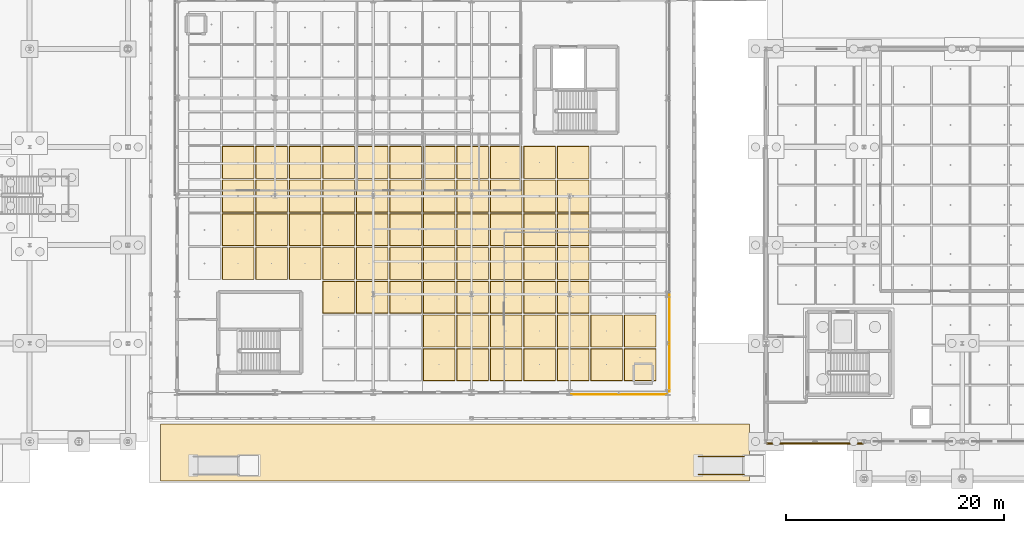
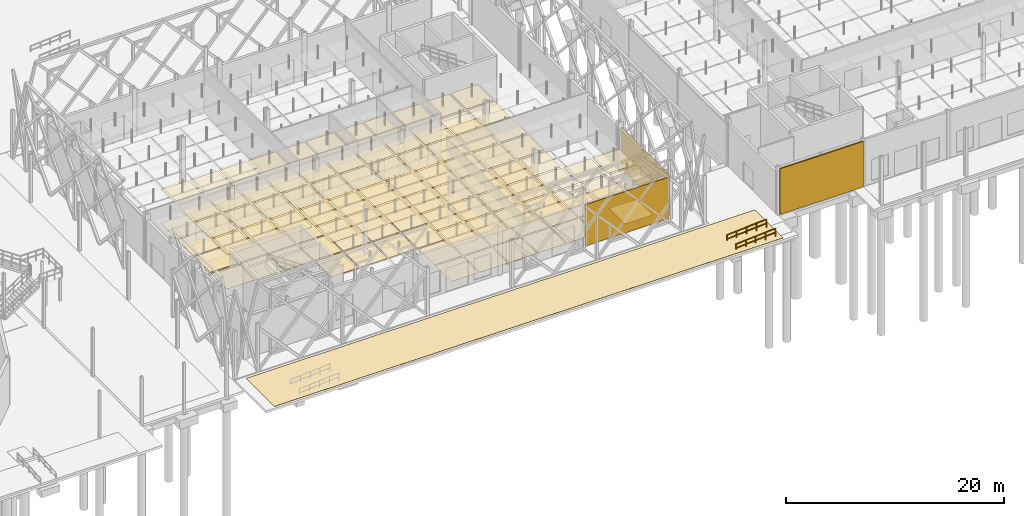
# One storey, part 164 of 180: 136 coverings, 2 railings.
"""IFC4 building model written with IfcOpenShell, lengths in metres."""

from ifc_helpers import new_model, si_unit, direction, frame, origin, origin_2d, place, context, subcontext, project, spatial, rectangle, circle, extrude, material, layer, layer_set, type_object, element, save


model = new_model("IFC4")

# Units and contexts
model_context = context("Model", 3, precision=1e-05, world=origin(), true_north=direction((0.0, 1.0)))
body_context = subcontext(model_context, "Body", "Model", "MODEL_VIEW")
ifc_project = project(units=[si_unit("LENGTHUNIT", "METRE"), si_unit("AREAUNIT", "SQUARE_METRE"), si_unit("VOLUMEUNIT", "CUBIC_METRE"), si_unit("PLANEANGLEUNIT", "RADIAN"), si_unit("MASSUNIT", "GRAM", prefix="KILO"), si_unit("THERMODYNAMICTEMPERATUREUNIT", "KELVIN"), si_unit("POWERUNIT", "WATT")], contexts=[model_context])

# Site, building, storey
site_placement = place(None, origin())
site = spatial("IfcSite", under=ifc_project, at=site_placement, CompositionType="ELEMENT")
building_placement = place(site_placement, origin())
building = spatial("IfcBuilding", under=site, at=building_placement, Name="Tallowbark Science Centre", CompositionType="ELEMENT")
storey_placement = place(building_placement, origin())
storey = spatial("IfcBuildingStorey", under=building, at=storey_placement, Name="L00", CompositionType="ELEMENT", Elevation=0.0)

# Coverings
ifc_material_1 = material(Name="Perforated Spotted Gum Acoustic Baffle Ceiling", Category="wood")
ifc_layer_1 = layer(ifc_material_1, 0.02490234375)
ifc_layer_set_1 = layer_set([ifc_layer_1], Name="Perforated Spotted Gum Acoustic Baffle Ceiling")
covering_type_1 = type_object("IfcCoveringType", Name="CLG-TIM-25", PredefinedType="CEILING", material=ifc_layer_set_1)
for number, where, z_axis, x_axis, name in (
    (1, (64.107177734375, 16.318115234375, 3.78759765625), (0.0, 0.0, 1.0), (1.0, 0.0, 0.0), "Suspended Ceiling L00-83"),
    (2, (64.107177734375, 19.4091796875, 3.78759765625), (0.0, 0.0, 1.0), (1.0, 0.0, 0.0), "Suspended Ceiling L00-84"),
    (3, (64.107177734375, 22.5, 3.78759765625), (0.0, 0.0, 1.0), (1.0, 0.0, 0.0), "Suspended Ceiling L00-85"),
    (4, (64.107177734375, 25.5908203125, 3.78759765625), (0.0, 0.0, 1.0), (1.0, 0.0, 0.0), "Suspended Ceiling L00-86"),
    (5, (67.1787109375, 16.318115234375, 3.78759765625), (0.0, 0.0, 1.0), (1.0, 0.0, 0.0), "Suspended Ceiling L00-91"),
    (6, (67.1787109375, 19.4091796875, 3.78759765625), (0.0, 0.0, 1.0), (1.0, 0.0, 0.0), "Suspended Ceiling L00-92"),
    (7, (67.1787109375, 22.5, 3.78759765625), (0.0, 0.0, 1.0), (1.0, 0.0, 0.0), "Suspended Ceiling L00-93"),
    (8, (67.1787109375, 25.5908203125, 3.78759765625), (0.0, 0.0, 1.0), (1.0, 0.0, 0.0), "Suspended Ceiling L00-94"),
    (9, (70.25, 16.318115234375, 3.78759765625), (0.0, 0.0, 1.0), (1.0, 0.0, 0.0), "Suspended Ceiling L00-99"),
    (10, (70.25, 19.4091796875, 3.78759765625), (0.0, 0.0, 1.0), (1.0, 0.0, 0.0), "Suspended Ceiling L00-100"),
    (11, (70.25, 22.5, 3.78759765625), (0.0, 0.0, 1.0), (1.0, 0.0, 0.0), "Suspended Ceiling L00-101"),
    (12, (70.25, 25.5908203125, 3.78759765625), (0.0, 0.0, 1.0), (1.0, 0.0, 0.0), "Suspended Ceiling L00-102"),
    (13, (73.3212890625, 13.227294921875, 3.78759765625), (0.0, 0.0, 1.0), (1.0, 0.0, 0.0), "Suspended Ceiling L00-109"),
    (14, (73.3212890625, 16.318115234375, 3.78759765625), (0.0, 0.0, 1.0), (1.0, 0.0, 0.0), "Suspended Ceiling L00-110"),
    (15, (73.3212890625, 19.4091796875, 3.78759765625), (0.0, 0.0, 1.0), (1.0, 0.0, 0.0), "Suspended Ceiling L00-111"),
    (16, (73.3212890625, 22.5, 3.78759765625), (0.0, 0.0, 1.0), (1.0, 0.0, 0.0), "Suspended Ceiling L00-112"),
    (17, (73.3212890625, 25.5908203125, 3.78759765625), (0.0, 0.0, 1.0), (1.0, 0.0, 0.0), "Suspended Ceiling L00-113"),
    (18, (76.392822265625, 13.227294921875, 3.78759765625), (0.0, 0.0, 1.0), (1.0, 0.0, 0.0), "Suspended Ceiling L00-120"),
    (19, (76.392822265625, 16.318115234375, 3.78759765625), (0.0, 0.0, 1.0), (1.0, 0.0, 0.0), "Suspended Ceiling L00-121"),
    (20, (76.392822265625, 19.4091796875, 3.78759765625), (0.0, 0.0, 1.0), (1.0, 0.0, 0.0), "Suspended Ceiling L00-122"),
    (21, (76.392822265625, 22.5, 3.78759765625), (0.0, 0.0, 1.0), (1.0, 0.0, 0.0), "Suspended Ceiling L00-123"),
    (22, (76.392822265625, 25.5908203125, 3.78759765625), (0.0, 0.0, 1.0), (1.0, 0.0, 0.0), "Suspended Ceiling L00-124"),
    (23, (79.46435546875, 13.227294921875, 3.78759765625), (0.0, 0.0, 1.0), (1.0, 0.0, 0.0), "Suspended Ceiling L00-131"),
    (24, (79.46435546875, 16.318115234375, 3.78759765625), (0.0, 0.0, 1.0), (1.0, 0.0, 0.0), "Suspended Ceiling L00-132"),
    (25, (79.46435546875, 19.4091796875, 3.78759765625), (0.0, 0.0, 1.0), (1.0, 0.0, 0.0), "Suspended Ceiling L00-133"),
    (26, (79.46435546875, 22.5, 3.78759765625), (0.0, 0.0, 1.0), (1.0, 0.0, 0.0), "Suspended Ceiling L00-134"),
    (27, (79.46435546875, 25.5908203125, 3.78759765625), (0.0, 0.0, 1.0), (1.0, 0.0, 0.0), "Suspended Ceiling L00-135"),
    (28, (82.53564453125, 7.04541015625, 3.78759765625), (0.0, 0.0, 1.0), (1.0, 0.0, 0.0), "Suspended Ceiling L00-140"),
    (29, (82.53564453125, 10.136474609375, 3.78759765625), (0.0, 0.0, 1.0), (1.0, 0.0, 0.0), "Suspended Ceiling L00-141"),
    (30, (82.53564453125, 13.227294921875, 3.78759765625), (0.0, 0.0, 1.0), (1.0, 0.0, 0.0), "Suspended Ceiling L00-142"),
    (31, (82.53564453125, 16.318115234375, 3.78759765625), (0.0, 0.0, 1.0), (1.0, 0.0, 0.0), "Suspended Ceiling L00-143"),
    (32, (82.53564453125, 19.4091796875, 3.78759765625), (0.0, 0.0, 1.0), (1.0, 0.0, 0.0), "Suspended Ceiling L00-144"),
    (33, (82.53564453125, 22.5, 3.78759765625), (0.0, 0.0, 1.0), (1.0, 0.0, 0.0), "Suspended Ceiling L00-145"),
    (34, (82.53564453125, 25.5908203125, 3.78759765625), (0.0, 0.0, 1.0), (1.0, 0.0, 0.0), "Suspended Ceiling L00-146"),
    (35, (85.607177734375, 7.04541015625, 3.78759765625), (0.0, 0.0, 1.0), (1.0, 0.0, 0.0), "Suspended Ceiling L00-151"),
    (36, (85.607177734375, 10.136474609375, 3.78759765625), (0.0, 0.0, 1.0), (1.0, 0.0, 0.0), "Suspended Ceiling L00-152"),
    (37, (85.607177734375, 13.227294921875, 3.78759765625), (0.0, 0.0, 1.0), (1.0, 0.0, 0.0), "Suspended Ceiling L00-153"),
    (38, (85.607177734375, 16.318115234375, 3.78759765625), (0.0, 0.0, 1.0), (1.0, 0.0, 0.0), "Suspended Ceiling L00-154"),
    (39, (85.607177734375, 19.4091796875, 3.78759765625), (0.0, 0.0, 1.0), (1.0, 0.0, 0.0), "Suspended Ceiling L00-155"),
    (40, (85.607177734375, 22.5, 3.78759765625), (0.0, 0.0, 1.0), (1.0, 0.0, 0.0), "Suspended Ceiling L00-156"),
    (41, (85.607177734375, 25.5908203125, 3.78759765625), (0.0, 0.0, 1.0), (1.0, 0.0, 0.0), "Suspended Ceiling L00-157"),
    (42, (88.6787109375, 7.04541015625, 3.78759765625), (0.0, 0.0, 1.0), (1.0, 0.0, 0.0), "Suspended Ceiling L00-162"),
    (43, (88.6787109375, 10.136474609375, 3.78759765625), (0.0, 0.0, 1.0), (1.0, 0.0, 0.0), "Suspended Ceiling L00-163"),
    (44, (88.6787109375, 13.227294921875, 3.78759765625), (0.0, 0.0, 1.0), (1.0, 0.0, 0.0), "Suspended Ceiling L00-164"),
    (45, (88.6787109375, 16.318115234375, 3.78759765625), (0.0, 0.0, 1.0), (1.0, 0.0, 0.0), "Suspended Ceiling L00-165"),
    (46, (88.6787109375, 19.4091796875, 3.78759765625), (0.0, 0.0, 1.0), (1.0, 0.0, 0.0), "Suspended Ceiling L00-166"),
    (47, (88.6787109375, 22.5, 3.78759765625), (0.0, 0.0, 1.0), (1.0, 0.0, 0.0), "Suspended Ceiling L00-167"),
    (48, (88.6787109375, 25.5908203125, 3.78759765625), (0.0, 0.0, 1.0), (1.0, 0.0, 0.0), "Suspended Ceiling L00-168"),
    (49, (91.75, 7.04541015625, 3.78759765625), (0.0, 0.0, 1.0), (1.0, 0.0, 0.0), "Suspended Ceiling L00-173"),
    (50, (91.75, 10.136474609375, 3.78759765625), (0.0, 0.0, 1.0), (1.0, 0.0, 0.0), "Suspended Ceiling L00-174"),
    (51, (91.75, 13.227294921875, 3.78759765625), (0.0, 0.0, 1.0), (1.0, 0.0, 0.0), "Suspended Ceiling L00-175"),
    (52, (91.75, 16.318115234375, 3.78759765625), (0.0, 0.0, 1.0), (1.0, 0.0, 0.0), "Suspended Ceiling L00-176"),
    (53, (91.75, 19.4091796875, 3.78759765625), (0.0, 0.0, 1.0), (1.0, 0.0, 0.0), "Suspended Ceiling L00-177"),
    (54, (91.75, 22.5, 3.78759765625), (0.0, 0.0, 1.0), (1.0, 0.0, 0.0), "Suspended Ceiling L00-178"),
    (55, (91.75, 25.5908203125, 3.78759765625), (0.0, 0.0, 1.0), (1.0, 0.0, 0.0), "Suspended Ceiling L00-179"),
    (56, (94.8212890625, 7.04541015625, 3.78759765625), (0.0, 0.0, 1.0), (1.0, 0.0, 0.0), "Suspended Ceiling L00-180"),
    (57, (94.8212890625, 10.136474609375, 3.78759765625), (0.0, 0.0, 1.0), (1.0, 0.0, 0.0), "Suspended Ceiling L00-181"),
    (58, (94.8212890625, 13.227294921875, 3.78759765625), (0.0, 0.0, 1.0), (1.0, 0.0, 0.0), "Suspended Ceiling L00-182"),
    (59, (94.8212890625, 16.318115234375, 3.78759765625), (0.0, 0.0, 1.0), (1.0, 0.0, 0.0), "Suspended Ceiling L00-183"),
    (60, (94.8212890625, 19.4091796875, 3.78759765625), (0.0, 0.0, 1.0), (1.0, 0.0, 0.0), "Suspended Ceiling L00-184"),
    (61, (94.8212890625, 22.5, 3.78759765625), (0.0, 0.0, 1.0), (1.0, 0.0, 0.0), "Suspended Ceiling L00-185"),
    (62, (94.8212890625, 25.5908203125, 3.78759765625), (0.0, 0.0, 1.0), (1.0, 0.0, 0.0), "Suspended Ceiling L00-186"),
    (63, (97.892822265625, 7.04541015625, 3.78759765625), (0.0, 0.0, 1.0), (1.0, 0.0, 0.0), "Suspended Ceiling L00-187"),
    (64, (97.892822265625, 10.136474609375, 3.78759765625), (0.0, 0.0, 1.0), (1.0, 0.0, 0.0), "Suspended Ceiling L00-188"),
    (65, (100.96435546875, 7.04541015625, 3.78759765625), (0.0, 0.0, 1.0), (1.0, 0.0, 0.0), "Suspended Ceiling L00-194"),
    (66, (100.96435546875, 10.136474609375, 3.78759765625), (0.0, 0.0, 1.0), (1.0, 0.0, 0.0), "Suspended Ceiling L00-195"),
):
    element("IfcCovering", number, at=place(storey_placement, frame(where, z_axis=z_axis, x_axis=x_axis)), inside=storey, type_object=covering_type_1, Name=name, PredefinedType="CEILING", context=body_context, shape_type="SweptSolid", body=[
        extrude(rectangle(XDim=2.891357421875, YDim=2.910888671875, at=origin_2d()), origin(), (0.0, 0.0, 1.0), 0.02490234375),
    ])
ifc_material_2 = material(Name="White Architectural Precast Concrete Grade N40 (40 MPa)", Category="concrete")
ifc_layer_2 = layer(ifc_material_2, 0.1201171875)
ifc_layer_set_2 = layer_set([ifc_layer_2], Name="White Architectural Precast Concrete Grade N40 (40 MPa)")
covering_type_2 = type_object("IfcCoveringType", Name="COV-PRC-CLAD", PredefinedType="CLADDING", material=ifc_layer_set_2)
covering_1_placement = place(storey_placement, frame((117.0, -0.1923828125, 0.050048828125), z_axis=(0.0, 0.0, 1.0), x_axis=(1.0, 0.0, 0.0)))
element("IfcCovering", 67, at=covering_1_placement, inside=storey, type_object=covering_type_2, Name="Architectural Rainscreen THT-S-L00-0", PredefinedType="CLADDING", context=body_context, shape_type="SweptSolid", body=[
    extrude(rectangle(XDim=8.8798828125, YDim=0.1201171875, at=origin_2d()), origin(), (0.0, 0.0, 1.0), 5.1201171875),
])
ifc_material_3 = material(Name="Honed Hawkesbury Sandstone Civic Paving", Category="masonry")
ifc_layer_3 = layer(ifc_material_3, 0.0400390625)
ifc_layer_set_3 = layer_set([ifc_layer_3], Name="Honed Hawkesbury Sandstone Civic Paving")
covering_type_3 = type_object("IfcCoveringType", Name="COV-STN-PAV", PredefinedType="FLOORING", material=ifc_layer_set_3)
covering_2_placement = place(storey_placement, frame((84.0, -1.0, 0.0), z_axis=(0.0, 0.0, 1.0), x_axis=(1.0, 0.0, 0.0)))
element("IfcCovering", 68, at=covering_2_placement, inside=storey, type_object=covering_type_3, Name="Hawkesbury Sandstone Paving PAV-FORECOURT-S", PredefinedType="FLOORING", context=body_context, shape_type="SweptSolid", body=[
    extrude(rectangle(XDim=54.0, YDim=5.199951171875, at=origin_2d()), origin(), (0.0, 0.0, 1.0), 0.02001953125),
])
ifc_material_4 = material(Name="Spotted Gum Hardwood Architectural Rainscreen", Category="wood")
ifc_layer_4 = layer(ifc_material_4, 0.0419921875)
ifc_layer_set_4 = layer_set([ifc_layer_4], Name="Spotted Gum Hardwood Architectural Rainscreen")
covering_type_4 = type_object("IfcCoveringType", Name="COV-TIM-CLAD", PredefinedType="CLADDING", material=ifc_layer_set_4)
for number, where, z_axis, x_axis, name in (
    (69, (99.0, 4.33154296875, 0.0498046875), (0.0, 0.0, 1.0), (1.0, 0.0, 0.0), "Architectural Rainscreen CUB-S-L00-4"),
    (70, (103.66845703125, 9.0, 0.0498046875), (0.0, 0.0, 1.0), (0.0, 1.0, 0.0), "Architectural Rainscreen CUB-E-L00-0"),
):
    element("IfcCovering", number, at=place(storey_placement, frame(where, z_axis=z_axis, x_axis=x_axis)), inside=storey, type_object=covering_type_4, Name=name, PredefinedType="CLADDING", context=body_context, shape_type="SweptSolid", body=[
        extrude(rectangle(XDim=8.8798828125, YDim=0.0419921875, at=origin_2d()), origin(), (0.0, 0.0, 1.0), 4.646240234375),
    ])
ifc_material_5 = material(Name="Polished Recycled-Glass Terrazzo Foyer Flooring", Category="glass")
ifc_layer_5 = layer(ifc_material_5, 0.02001953125)
ifc_layer_set_5 = layer_set([ifc_layer_5], Name="Polished Recycled-Glass Terrazzo Foyer Flooring")
covering_type_5 = type_object("IfcCoveringType", Name="FLR-TER-20", PredefinedType="FLOORING", material=ifc_layer_set_5)
for number, where, z_axis, x_axis, name in (
    (71, (64.107177734375, 16.318115234375, 0.0), (0.0, 0.0, 1.0), (1.0, 0.0, 0.0), "Floor Finish L00-83"),
    (72, (64.107177734375, 19.4091796875, 0.0), (0.0, 0.0, 1.0), (1.0, 0.0, 0.0), "Floor Finish L00-84"),
    (73, (64.107177734375, 22.5, 0.0), (0.0, 0.0, 1.0), (1.0, 0.0, 0.0), "Floor Finish L00-85"),
    (74, (64.107177734375, 25.5908203125, 0.0), (0.0, 0.0, 1.0), (1.0, 0.0, 0.0), "Floor Finish L00-86"),
    (75, (67.1787109375, 16.318115234375, 0.0), (0.0, 0.0, 1.0), (1.0, 0.0, 0.0), "Floor Finish L00-91"),
    (76, (67.1787109375, 19.4091796875, 0.0), (0.0, 0.0, 1.0), (1.0, 0.0, 0.0), "Floor Finish L00-92"),
    (77, (67.1787109375, 22.5, 0.0), (0.0, 0.0, 1.0), (1.0, 0.0, 0.0), "Floor Finish L00-93"),
    (78, (67.1787109375, 25.5908203125, 0.0), (0.0, 0.0, 1.0), (1.0, 0.0, 0.0), "Floor Finish L00-94"),
    (79, (70.25, 16.318115234375, 0.0), (0.0, 0.0, 1.0), (1.0, 0.0, 0.0), "Floor Finish L00-99"),
    (80, (70.25, 19.4091796875, 0.0), (0.0, 0.0, 1.0), (1.0, 0.0, 0.0), "Floor Finish L00-100"),
    (81, (70.25, 22.5, 0.0), (0.0, 0.0, 1.0), (1.0, 0.0, 0.0), "Floor Finish L00-101"),
    (82, (70.25, 25.5908203125, 0.0), (0.0, 0.0, 1.0), (1.0, 0.0, 0.0), "Floor Finish L00-102"),
    (83, (73.3212890625, 13.227294921875, 0.0), (0.0, 0.0, 1.0), (1.0, 0.0, 0.0), "Floor Finish L00-109"),
    (84, (73.3212890625, 16.318115234375, 0.0), (0.0, 0.0, 1.0), (1.0, 0.0, 0.0), "Floor Finish L00-110"),
    (85, (73.3212890625, 19.4091796875, 0.0), (0.0, 0.0, 1.0), (1.0, 0.0, 0.0), "Floor Finish L00-111"),
    (86, (73.3212890625, 22.5, 0.0), (0.0, 0.0, 1.0), (1.0, 0.0, 0.0), "Floor Finish L00-112"),
    (87, (73.3212890625, 25.5908203125, 0.0), (0.0, 0.0, 1.0), (1.0, 0.0, 0.0), "Floor Finish L00-113"),
    (88, (76.392822265625, 13.227294921875, 0.0), (0.0, 0.0, 1.0), (1.0, 0.0, 0.0), "Floor Finish L00-120"),
    (89, (76.392822265625, 16.318115234375, 0.0), (0.0, 0.0, 1.0), (1.0, 0.0, 0.0), "Floor Finish L00-121"),
    (90, (76.392822265625, 19.4091796875, 0.0), (0.0, 0.0, 1.0), (1.0, 0.0, 0.0), "Floor Finish L00-122"),
    (91, (76.392822265625, 22.5, 0.0), (0.0, 0.0, 1.0), (1.0, 0.0, 0.0), "Floor Finish L00-123"),
    (92, (76.392822265625, 25.5908203125, 0.0), (0.0, 0.0, 1.0), (1.0, 0.0, 0.0), "Floor Finish L00-124"),
    (93, (79.46435546875, 13.227294921875, 0.0), (0.0, 0.0, 1.0), (1.0, 0.0, 0.0), "Floor Finish L00-131"),
    (94, (79.46435546875, 16.318115234375, 0.0), (0.0, 0.0, 1.0), (1.0, 0.0, 0.0), "Floor Finish L00-132"),
    (95, (79.46435546875, 19.4091796875, 0.0), (0.0, 0.0, 1.0), (1.0, 0.0, 0.0), "Floor Finish L00-133"),
    (96, (79.46435546875, 22.5, 0.0), (0.0, 0.0, 1.0), (1.0, 0.0, 0.0), "Floor Finish L00-134"),
    (97, (79.46435546875, 25.5908203125, 0.0), (0.0, 0.0, 1.0), (1.0, 0.0, 0.0), "Floor Finish L00-135"),
    (98, (82.53564453125, 7.04541015625, 0.0), (0.0, 0.0, 1.0), (1.0, 0.0, 0.0), "Floor Finish L00-140"),
    (99, (82.53564453125, 10.136474609375, 0.0), (0.0, 0.0, 1.0), (1.0, 0.0, 0.0), "Floor Finish L00-141"),
    (100, (82.53564453125, 13.227294921875, 0.0), (0.0, 0.0, 1.0), (1.0, 0.0, 0.0), "Floor Finish L00-142"),
    (101, (82.53564453125, 16.318115234375, 0.0), (0.0, 0.0, 1.0), (1.0, 0.0, 0.0), "Floor Finish L00-143"),
    (102, (82.53564453125, 19.4091796875, 0.0), (0.0, 0.0, 1.0), (1.0, 0.0, 0.0), "Floor Finish L00-144"),
    (103, (82.53564453125, 22.5, 0.0), (0.0, 0.0, 1.0), (1.0, 0.0, 0.0), "Floor Finish L00-145"),
    (104, (82.53564453125, 25.5908203125, 0.0), (0.0, 0.0, 1.0), (1.0, 0.0, 0.0), "Floor Finish L00-146"),
    (105, (85.607177734375, 7.04541015625, 0.0), (0.0, 0.0, 1.0), (1.0, 0.0, 0.0), "Floor Finish L00-151"),
    (106, (85.607177734375, 10.136474609375, 0.0), (0.0, 0.0, 1.0), (1.0, 0.0, 0.0), "Floor Finish L00-152"),
    (107, (85.607177734375, 13.227294921875, 0.0), (0.0, 0.0, 1.0), (1.0, 0.0, 0.0), "Floor Finish L00-153"),
    (108, (85.607177734375, 16.318115234375, 0.0), (0.0, 0.0, 1.0), (1.0, 0.0, 0.0), "Floor Finish L00-154"),
    (109, (85.607177734375, 19.4091796875, 0.0), (0.0, 0.0, 1.0), (1.0, 0.0, 0.0), "Floor Finish L00-155"),
    (110, (85.607177734375, 22.5, 0.0), (0.0, 0.0, 1.0), (1.0, 0.0, 0.0), "Floor Finish L00-156"),
    (111, (85.607177734375, 25.5908203125, 0.0), (0.0, 0.0, 1.0), (1.0, 0.0, 0.0), "Floor Finish L00-157"),
    (112, (88.6787109375, 7.04541015625, 0.0), (0.0, 0.0, 1.0), (1.0, 0.0, 0.0), "Floor Finish L00-162"),
    (113, (88.6787109375, 10.136474609375, 0.0), (0.0, 0.0, 1.0), (1.0, 0.0, 0.0), "Floor Finish L00-163"),
    (114, (88.6787109375, 13.227294921875, 0.0), (0.0, 0.0, 1.0), (1.0, 0.0, 0.0), "Floor Finish L00-164"),
    (115, (88.6787109375, 16.318115234375, 0.0), (0.0, 0.0, 1.0), (1.0, 0.0, 0.0), "Floor Finish L00-165"),
    (116, (88.6787109375, 19.4091796875, 0.0), (0.0, 0.0, 1.0), (1.0, 0.0, 0.0), "Floor Finish L00-166"),
    (117, (88.6787109375, 22.5, 0.0), (0.0, 0.0, 1.0), (1.0, 0.0, 0.0), "Floor Finish L00-167"),
    (118, (88.6787109375, 25.5908203125, 0.0), (0.0, 0.0, 1.0), (1.0, 0.0, 0.0), "Floor Finish L00-168"),
    (119, (91.75, 7.04541015625, 0.0), (0.0, 0.0, 1.0), (1.0, 0.0, 0.0), "Floor Finish L00-173"),
    (120, (91.75, 10.136474609375, 0.0), (0.0, 0.0, 1.0), (1.0, 0.0, 0.0), "Floor Finish L00-174"),
    (121, (91.75, 13.227294921875, 0.0), (0.0, 0.0, 1.0), (1.0, 0.0, 0.0), "Floor Finish L00-175"),
    (122, (91.75, 16.318115234375, 0.0), (0.0, 0.0, 1.0), (1.0, 0.0, 0.0), "Floor Finish L00-176"),
    (123, (91.75, 19.4091796875, 0.0), (0.0, 0.0, 1.0), (1.0, 0.0, 0.0), "Floor Finish L00-177"),
    (124, (91.75, 22.5, 0.0), (0.0, 0.0, 1.0), (1.0, 0.0, 0.0), "Floor Finish L00-178"),
    (125, (91.75, 25.5908203125, 0.0), (0.0, 0.0, 1.0), (1.0, 0.0, 0.0), "Floor Finish L00-179"),
    (126, (94.8212890625, 7.04541015625, 0.0), (0.0, 0.0, 1.0), (1.0, 0.0, 0.0), "Floor Finish L00-180"),
    (127, (94.8212890625, 10.136474609375, 0.0), (0.0, 0.0, 1.0), (1.0, 0.0, 0.0), "Floor Finish L00-181"),
    (128, (94.8212890625, 13.227294921875, 0.0), (0.0, 0.0, 1.0), (1.0, 0.0, 0.0), "Floor Finish L00-182"),
    (129, (94.8212890625, 16.318115234375, 0.0), (0.0, 0.0, 1.0), (1.0, 0.0, 0.0), "Floor Finish L00-183"),
    (130, (94.8212890625, 19.4091796875, 0.0), (0.0, 0.0, 1.0), (1.0, 0.0, 0.0), "Floor Finish L00-184"),
    (131, (94.8212890625, 22.5, 0.0), (0.0, 0.0, 1.0), (1.0, 0.0, 0.0), "Floor Finish L00-185"),
    (132, (94.8212890625, 25.5908203125, 0.0), (0.0, 0.0, 1.0), (1.0, 0.0, 0.0), "Floor Finish L00-186"),
    (133, (97.892822265625, 7.04541015625, 0.0), (0.0, 0.0, 1.0), (1.0, 0.0, 0.0), "Floor Finish L00-187"),
    (134, (97.892822265625, 10.136474609375, 0.0), (0.0, 0.0, 1.0), (1.0, 0.0, 0.0), "Floor Finish L00-188"),
    (135, (100.96435546875, 7.04541015625, 0.0), (0.0, 0.0, 1.0), (1.0, 0.0, 0.0), "Floor Finish L00-194"),
    (136, (100.96435546875, 10.136474609375, 0.0), (0.0, 0.0, 1.0), (1.0, 0.0, 0.0), "Floor Finish L00-195"),
):
    element("IfcCovering", number, at=place(storey_placement, frame(where, z_axis=z_axis, x_axis=x_axis)), inside=storey, type_object=covering_type_5, Name=name, PredefinedType="FLOORING", context=body_context, shape_type="SweptSolid", body=[
        extrude(rectangle(XDim=2.951416015625, YDim=2.970947265625, at=origin_2d()), origin(), (0.0, 0.0, 1.0), 0.02001953125),
    ])

# Railings
ifc_material_6 = material(Name="Brushed Grade 316 Stainless Steel Handrail", Category="steel")
ifc_layer_6 = layer(ifc_material_6, 0.050048828125)
ifc_layer_set_6 = layer_set([ifc_layer_6], Name="Brushed Grade 316 Stainless Steel Handrail")
railing_type = type_object("IfcRailingType", Name="RLG-HDR-950", PredefinedType="HANDRAIL", material=ifc_layer_set_6)
for number, where, name in (
    (137, (106.300048828125, -1.360107421875, -0.300048828125), "Ramp Handrail RMP-04 L"),
    (138, (106.300048828125, -3.0400390625, -0.300048828125), "Ramp Handrail RMP-04 R"),
):
    element("IfcRailing", number, at=place(storey_placement, frame(where)), inside=storey, type_object=railing_type, Name=name, PredefinedType="HANDRAIL", context=body_context, shape_type="SweptSolid", body=[
        extrude(circle(Radius=0.02392578125, at=origin_2d()), frame((0.0, 0.0, 0.92578125), z_axis=(0.997457816785, 0.0, 0.071259411546), x_axis=(0.0, 1.0, 0.0)), (0.0, 0.0, 1.0), 4.210693359375),
        extrude(circle(Radius=0.02392578125, at=origin_2d()), frame((0.0, 0.0, 0.47509765625), z_axis=(0.997457816785, 0.0, 0.071259411546), x_axis=(0.0, 1.0, 0.0)), (0.0, 0.0, 1.0), 4.210693359375),
        extrude(circle(Radius=0.02099609375, at=origin_2d()), origin(), (0.0, 0.0, 1.0), 0.90185546875),
        extrude(circle(Radius=0.02099609375, at=origin_2d()), frame((1.050048828125, 0.0, 0.074951171875)), (0.0, 0.0, 1.0), 0.90185546875),
        extrude(circle(Radius=0.02099609375, at=origin_2d()), frame((2.10009765625, 0.0, 0.14990234375)), (0.0, 0.0, 1.0), 0.90185546875),
        extrude(circle(Radius=0.02099609375, at=origin_2d()), frame((3.14990234375, 0.0, 0.22509765625)), (0.0, 0.0, 1.0), 0.90185546875),
        extrude(circle(Radius=0.02099609375, at=origin_2d()), frame((4.199951171875, 0.0, 0.300048828125)), (0.0, 0.0, 1.0), 0.90185546875),
    ])

save(model, "model.ifc")
